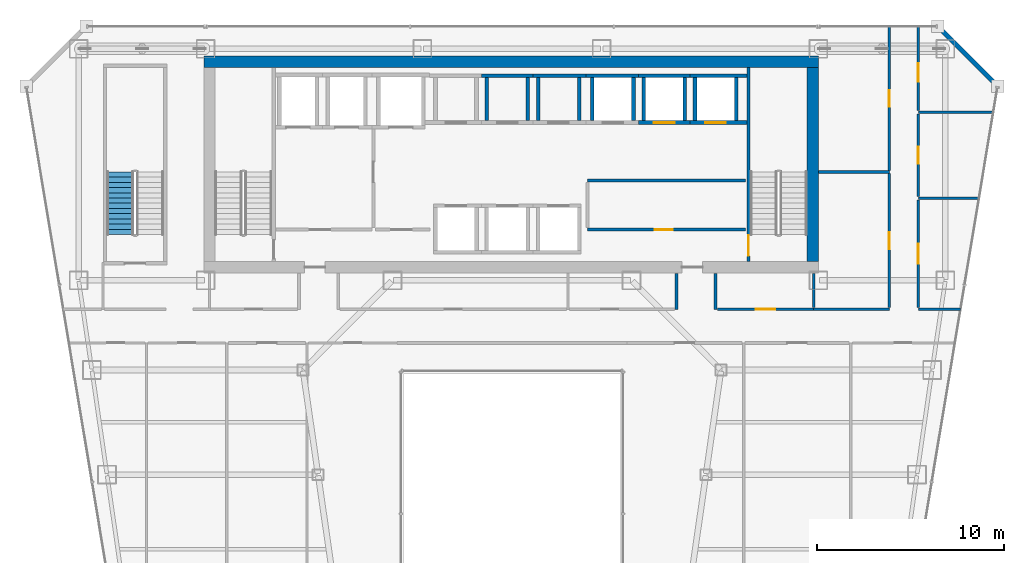
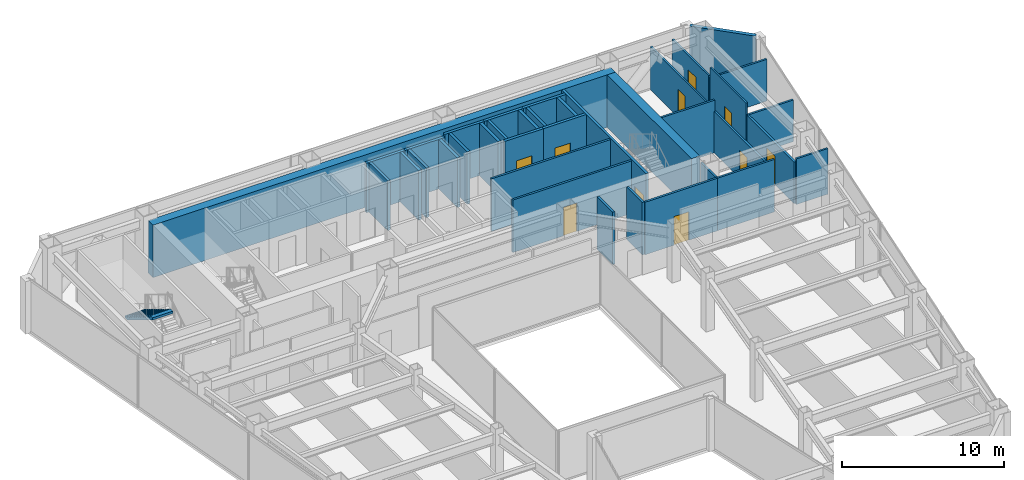
# One storey, part 32 of 36: 37 walls, 10 doors, 1 stair flight, 10 openings, 1 element without a shape of its own.
"""IFC4 building model written with IfcOpenShell, lengths in metres."""

from ifc_helpers import new_model, si_unit, direction, frame, frame_2d, origin, place, context, subcontext, project, spatial, polyline, rectangle, outline, extrude, material, layer, layer_set, type_object, element, fill, aggregate, save


model = new_model("IFC4")

# Units and contexts
model_context = context("Model", 3, precision=1e-05, world=origin(), true_north=direction((0.0, 1.0)))
body_context = subcontext(model_context, "Body", "Model", "MODEL_VIEW")
ifc_project = project(units=[si_unit("LENGTHUNIT", "METRE"), si_unit("AREAUNIT", "SQUARE_METRE"), si_unit("VOLUMEUNIT", "CUBIC_METRE"), si_unit("PLANEANGLEUNIT", "RADIAN"), si_unit("MASSUNIT", "GRAM", prefix="KILO")], contexts=[model_context])

# Site, building, storey
site_placement = place(None, origin())
site = spatial("IfcSite", under=ifc_project, at=site_placement, CompositionType="ELEMENT")
building_placement = place(site_placement, origin())
building = spatial("IfcBuilding", under=site, at=building_placement, Name="Saevonmaru Cultural Tower", CompositionType="ELEMENT")
storey_placement = place(building_placement, frame((0.0, 0.0, 119.199951171875)))
storey = spatial("IfcBuildingStorey", under=building, at=storey_placement, Name="L25", CompositionType="ELEMENT", Elevation=119.199951171875)

# Walls
ifc_material_1 = material(Name="Concrete C60/75", Category="concrete")
ifc_layer_1 = layer(ifc_material_1, 0.60009765625, Name="Concrete C60/75")
ifc_layer_set_1 = layer_set([ifc_layer_1], Name="Concrete C60/75")
wall_type_1 = type_object("IfcWallType", Name="WL-CORE-600", PredefinedType="SHEAR", material=ifc_layer_set_1)
wall_1_placement = place(storey_placement, frame((13.5, 54.10009765625, 0.0), z_axis=(0.0, 0.0, 1.0), x_axis=(1.0, 0.0, 0.0)))
element("IfcWall", 1, at=wall_1_placement, inside=storey, type_object=wall_type_1, Name="L25 Tower RC core shear wall N", PredefinedType="SHEAR", context=body_context, shape_type="SweptSolid", body=[
    extrude(rectangle(XDim=32.89990234375, YDim=0.60009765625, at=frame_2d((16.449951171875, 0.0))), origin(), (0.0, 0.0, 1.0), 3.949951171875),
])
wall_2_placement = place(storey_placement, frame((46.10009765625, 43.39990234375, 0.0), z_axis=(0.0, 0.0, 1.0), x_axis=(0.0, 1.0, 0.0)))
element("IfcWall", 2, at=wall_2_placement, inside=storey, type_object=wall_type_1, Name="L25 Tower RC core shear wall E", PredefinedType="SHEAR", context=body_context, shape_type="SweptSolid", body=[
    extrude(rectangle(XDim=10.400146484375, YDim=0.60009765625, at=frame_2d((5.2001953125, 0.0))), origin(), (0.0, 0.0, 1.0), 3.949951171875),
])

# Wall, opening, door
ifc_material_2 = material(Name="Gypsum Fireboard Partition", Category="gypsum")
ifc_layer_2 = layer(ifc_material_2, 0.14990234375, Name="Gypsum Fireboard Partition")
ifc_layer_set_2 = layer_set([ifc_layer_2], Name="Gypsum Fireboard Partition")
wall_type_2 = type_object("IfcWallType", Name="WL-CORE-PART-150", PredefinedType="PARTITIONING", material=ifc_layer_set_2)
wall_3_placement = place(storey_placement, frame((34.050048828125, 45.1201171875, 0.0), z_axis=(0.0, 0.0, 1.0), x_axis=(1.0, 0.0, 0.0)))
wall_3 = element("IfcWall", 3, at=wall_3_placement, inside=storey, type_object=wall_type_2, Name="L25 Core Service South Wall", PredefinedType="PARTITIONING", context=body_context, shape_type="SweptSolid", body=[
    extrude(rectangle(XDim=8.449951171875, YDim=0.14990234375, at=frame_2d((4.22509765625, 0.0))), origin(), (0.0, 0.0, 1.0), 3.949951171875),
])
opening_1_placement = place(wall_3_placement, frame((3.60009765625, 0.0, 0.0)))
opening_1 = element("IfcOpeningElement", 4, at=opening_1_placement, cuts=wall_3, Name="Opening FD-4", PredefinedType="OPENING", context=body_context, shape_type="SweptSolid", body=[
    extrude(rectangle(XDim=0.949951171875, YDim=2.14990234375, at=frame_2d((0.47509765625, 1.074951171875))), frame((0.0, 0.0849609375, 0.0), z_axis=(0.0, -1.0, 0.0), x_axis=(1.0, 0.0, 0.0)), (0.0, 0.0, 1.0), 0.169921875),
])
ifc_material_3 = material(Name="Satin Bronze Anodised Aluminium", Category="aluminium")
door_type_1 = type_object("IfcDoorType", Name="DR-FD60-950", OperationType="SINGLE_SWING_LEFT", PredefinedType="DOOR", material=ifc_material_3)
door_1_placement = place(opening_1_placement, origin())
door_1 = element("IfcDoor", 5, at=door_1_placement, inside=storey, type_object=door_type_1, Name="L25 Telecom Riser Plant Door", OperationType="SINGLE_SWING_LEFT", OverallHeight=2.14990234375, OverallWidth=0.949951171875, PredefinedType="DOOR", context=body_context, shape_type="SweptSolid", body=[
    extrude(rectangle(XDim=0.949951171875, YDim=2.14990234375, at=frame_2d((0.47509765625, 1.074951171875))), frame((0.0, 0.02490234375, 0.0), z_axis=(0.0, -1.0, 0.0), x_axis=(1.0, 0.0, 0.0)), (0.0, 0.0, 1.0), 0.050048828125),
])
fill(opening_1, door_1)

# Walls
wall_4_placement = place(storey_placement, frame((34.050048828125, 47.75, 0.0), z_axis=(0.0, 0.0, 1.0), x_axis=(1.0, 0.0, 0.0)))
element("IfcWall", 6, at=wall_4_placement, inside=storey, type_object=wall_type_2, Name="L25 Core Service North Wall", PredefinedType="PARTITIONING", context=body_context, shape_type="SweptSolid", body=[
    extrude(rectangle(XDim=8.449951171875, YDim=0.14990234375, at=frame_2d((4.22509765625, 0.0))), origin(), (0.0, 0.0, 1.0), 3.949951171875),
])
ifc_material_4 = material(Name="Granite-Clad Precast Concrete C40/50", Category="masonry")
ifc_layer_3 = layer(ifc_material_4, 0.260009765625, Name="Granite-Clad Precast Concrete C40/50")
ifc_layer_set_3 = layer_set([ifc_layer_3], Name="Granite-Clad Precast Concrete C40/50")
wall_type_3 = type_object("IfcWallType", Name="WL-EXT-SPANDREL-260", PredefinedType="STANDARD", material=ifc_layer_set_3)
wall_5_placement = place(storey_placement, frame((55.886962890625, 52.9130859375, 0.0), z_axis=(0.0, 0.0, 1.0), x_axis=(-0.707106781187, 0.707106781187, 0.0)))
element("IfcWall", 7, at=wall_5_placement, inside=storey, type_object=wall_type_3, Name="L25 Chamfer Corner Spandrel Wall E9", PredefinedType="STANDARD", context=body_context, shape_type="SweptSolid", body=[
    extrude(rectangle(XDim=4.205810546875, YDim=0.260009765625, at=frame_2d((2.10302734375, 0.0))), origin(), (0.0, 0.0, 1.0), 3.949951171875),
])

# Wall, opening, door
ifc_layer_4 = layer(ifc_material_2, 0.14990234375, Name="Gypsum Fireboard Partition")
ifc_layer_set_4 = layer_set([ifc_layer_4], Name="Gypsum Fireboard Partition")
wall_type_4 = type_object("IfcWallType", Name="WL-PART-FIRE-150", PredefinedType="PARTITIONING", material=ifc_layer_set_4)
wall_6_placement = place(storey_placement, frame((51.75, 40.9375, 0.0), z_axis=(0.0, 0.0, 1.0), x_axis=(0.0, 1.0, 0.0)))
wall_6 = element("IfcWall", 8, at=wall_6_placement, inside=storey, type_object=wall_type_4, Name="L25 Contemporary Photography Gallery Corridor Wall", PredefinedType="PARTITIONING", context=body_context, shape_type="SweptSolid", body=[
    extrude(rectangle(XDim=5.77490234375, YDim=0.14990234375, at=frame_2d((2.887451171875, 0.0))), origin(), (0.0, 0.0, 1.0), 3.135009765625),
])
opening_2_placement = place(wall_6_placement, frame((2.362060546875, 0.0, 0.0)))
opening_2 = element("IfcOpeningElement", 9, at=opening_2_placement, cuts=wall_6, Name="Opening ID-1", PredefinedType="OPENING", context=body_context, shape_type="SweptSolid", body=[
    extrude(rectangle(XDim=1.050048828125, YDim=2.14990234375, at=frame_2d((0.52490234375, 1.074951171875))), frame((0.0, 0.0849609375, 0.0), z_axis=(0.0, -1.0, 0.0), x_axis=(1.0, 0.0, 0.0)), (0.0, 0.0, 1.0), 0.169921875),
])
door_type_2 = type_object("IfcDoorType", Name="DR-INT-1050", OperationType="SINGLE_SWING_LEFT", PredefinedType="DOOR", material=ifc_material_3)
door_2_placement = place(opening_2_placement, origin())
door_2 = element("IfcDoor", 10, at=door_2_placement, inside=storey, type_object=door_type_2, Name="L25 Contemporary Photography Gallery Door", OperationType="SINGLE_SWING_RIGHT", OverallHeight=2.14990234375, OverallWidth=1.050048828125, PredefinedType="DOOR", context=body_context, shape_type="SweptSolid", body=[
    extrude(rectangle(XDim=1.050048828125, YDim=2.14990234375, at=frame_2d((0.52490234375, 1.074951171875))), frame((0.0, 0.02490234375, 0.0), z_axis=(0.0, -1.0, 0.0), x_axis=(1.0, 0.0, 0.0)), (0.0, 0.0, 1.0), 0.050048828125),
])
fill(opening_2, door_2)

# Walls
for number, where, z_axis, x_axis, name in (
    (11, (38.800048828125, 40.85009765625, 0.0), (0.0, 0.0, 1.0), (0.0, 1.0, 0.0), "L25 Core Portal Side Wall E1"),
    (12, (40.89990234375, 40.85009765625, 0.0), (0.0, 0.0, 1.0), (0.0, 1.0, 0.0), "L25 Core Portal Side Wall E2"),
):
    element("IfcWall", number, at=place(storey_placement, frame(where, z_axis=z_axis, x_axis=x_axis)), inside=storey, type_object=wall_type_4, Name=name, PredefinedType="PARTITIONING", context=body_context, shape_type="SweptSolid", body=[
        extrude(rectangle(XDim=1.929931640625, YDim=0.14990234375, at=frame_2d((0.96484375, 0.0))), origin(), (0.0, 0.0, 1.0), 3.949951171875),
    ])

# Wall, opening, door
wall_7_placement = place(storey_placement, frame((40.9951171875, 40.85009765625, 0.0), z_axis=(0.0, 0.0, 1.0), x_axis=(1.0, 0.0, 0.0)))
wall_7 = element("IfcWall", 13, at=wall_7_placement, inside=storey, type_object=wall_type_4, Name="L25 Sculpture Study Gallery Corridor Wall", PredefinedType="PARTITIONING", context=body_context, shape_type="SweptSolid", body=[
    extrude(rectangle(XDim=5.15478515625, YDim=0.14990234375, at=frame_2d((2.577392578125, 0.0))), origin(), (0.0, 0.0, 1.0), 3.949951171875),
])
opening_3_placement = place(wall_7_placement, frame((2.052978515625, 0.0, 0.0)))
opening_3 = element("IfcOpeningElement", 14, at=opening_3_placement, cuts=wall_7, Name="Opening ID-1", PredefinedType="OPENING", context=body_context, shape_type="SweptSolid", body=[
    extrude(rectangle(XDim=1.050048828125, YDim=2.14990234375, at=frame_2d((0.52490234375, 1.074951171875))), frame((0.0, 0.0849609375, 0.0), z_axis=(0.0, -1.0, 0.0), x_axis=(1.0, 0.0, 0.0)), (0.0, 0.0, 1.0), 0.169921875),
])
door_3_placement = place(opening_3_placement, origin())
door_3 = element("IfcDoor", 15, at=door_3_placement, inside=storey, type_object=door_type_2, Name="L25 Sculpture Study Gallery Door", OperationType="SINGLE_SWING_RIGHT", OverallHeight=2.14990234375, OverallWidth=1.050048828125, PredefinedType="DOOR", context=body_context, shape_type="SweptSolid", body=[
    extrude(rectangle(XDim=1.050048828125, YDim=2.14990234375, at=frame_2d((0.52490234375, 1.074951171875))), frame((0.0, 0.02490234375, 0.0), z_axis=(0.0, -1.0, 0.0), x_axis=(1.0, 0.0, 0.0)), (0.0, 0.0, 1.0), 0.050048828125),
])
fill(opening_3, door_3)

ifc_layer_5 = layer(ifc_material_2, 0.1201171875, Name="Gypsum Fireboard Partition")
ifc_layer_set_5 = layer_set([ifc_layer_5], Name="Gypsum Fireboard Partition")
wall_type_5 = type_object("IfcWallType", Name="WL-PART-GYP-120", PredefinedType="PARTITIONING", material=ifc_layer_set_5)
wall_8_placement = place(storey_placement, frame((50.199951171875, 48.2900390625, 0.0), z_axis=(0.0, 0.0, 1.0), x_axis=(0.0, 1.0, 0.0)))
wall_8 = element("IfcWall", 16, at=wall_8_placement, inside=storey, type_object=wall_type_5, Name="L25 Visiting Fellows Office Corridor Wall", PredefinedType="PARTITIONING", context=body_context, shape_type="SweptSolid", body=[
    extrude(rectangle(XDim=7.705078125, YDim=0.1201171875, at=frame_2d((3.8525390625, 0.0))), origin(), (0.0, 0.0, 1.0), 3.235107421875),
])
opening_4_placement = place(wall_8_placement, frame((3.402099609375, 0.0, 0.0)))
opening_4 = element("IfcOpeningElement", 17, at=opening_4_placement, cuts=wall_8, Name="Opening ID-2", PredefinedType="OPENING", context=body_context, shape_type="SweptSolid", body=[
    extrude(rectangle(XDim=0.89990234375, YDim=2.10009765625, at=frame_2d((0.449951171875, 1.050048828125))), frame((0.0, 0.070068359375, 0.0), z_axis=(0.0, -1.0, 0.0), x_axis=(1.0, 0.0, 0.0)), (0.0, 0.0, 1.0), 0.14013671875),
])
ifc_material_5 = material(Name="Acoustic Stained Oak Timber", Category="wood")
door_type_3 = type_object("IfcDoorType", Name="DR-INT-900", OperationType="SINGLE_SWING_RIGHT", PredefinedType="DOOR", material=ifc_material_5)
door_4_placement = place(opening_4_placement, origin())
door_4 = element("IfcDoor", 18, at=door_4_placement, inside=storey, type_object=door_type_3, Name="L25 Visiting Fellows Office Door", OperationType="SINGLE_SWING_LEFT", OverallHeight=2.10009765625, OverallWidth=0.89990234375, PredefinedType="DOOR", context=body_context, shape_type="SweptSolid", body=[
    extrude(rectangle(XDim=0.89990234375, YDim=2.10009765625, at=frame_2d((0.449951171875, 1.050048828125))), frame((0.0, 0.02490234375, 0.0), z_axis=(0.0, -1.0, 0.0), x_axis=(1.0, 0.0, 0.0)), (0.0, 0.0, 1.0), 0.050048828125),
])
fill(opening_4, door_4)

wall_9_placement = place(storey_placement, frame((51.75, 46.887451171875, 0.0), z_axis=(0.0, 0.0, 1.0), x_axis=(0.0, 1.0, 0.0)))
wall_9 = element("IfcWall", 19, at=wall_9_placement, inside=storey, type_object=wall_type_5, Name="L25 Digital Media Classroom Corridor Wall", PredefinedType="PARTITIONING", context=body_context, shape_type="SweptSolid", body=[
    extrude(rectangle(XDim=4.425048828125, YDim=0.1201171875, at=frame_2d((2.21240234375, 0.0))), origin(), (0.0, 0.0, 1.0), 3.949951171875),
])
opening_5_placement = place(wall_9_placement, frame((1.761962890625, 0.0, 0.0)))
opening_5 = element("IfcOpeningElement", 20, at=opening_5_placement, cuts=wall_9, Name="Opening ID-2", PredefinedType="OPENING", context=body_context, shape_type="SweptSolid", body=[
    extrude(rectangle(XDim=0.89990234375, YDim=2.10009765625, at=frame_2d((0.449951171875, 1.050048828125))), frame((0.0, 0.070068359375, 0.0), z_axis=(0.0, -1.0, 0.0), x_axis=(1.0, 0.0, 0.0)), (0.0, 0.0, 1.0), 0.14013671875),
])
door_5_placement = place(opening_5_placement, origin())
door_5 = element("IfcDoor", 21, at=door_5_placement, inside=storey, type_object=door_type_3, Name="L25 Digital Media Classroom Door", OperationType="SINGLE_SWING_LEFT", OverallHeight=2.10009765625, OverallWidth=0.89990234375, PredefinedType="DOOR", context=body_context, shape_type="SweptSolid", body=[
    extrude(rectangle(XDim=0.89990234375, YDim=2.10009765625, at=frame_2d((0.449951171875, 1.050048828125))), frame((0.0, 0.02490234375, 0.0), z_axis=(0.0, -1.0, 0.0), x_axis=(1.0, 0.0, 0.0)), (0.0, 0.0, 1.0), 0.050048828125),
])
fill(opening_5, door_5)

wall_10_placement = place(storey_placement, frame((51.75, 51.487548828125, 0.0), z_axis=(0.0, 0.0, 1.0), x_axis=(0.0, 1.0, 0.0)))
wall_10 = element("IfcWall", 22, at=wall_10_placement, inside=storey, type_object=wall_type_5, Name="L25 Horizon Espresso Cafe Corridor Wall", PredefinedType="PARTITIONING", context=body_context, shape_type="SweptSolid", body=[
    extrude(rectangle(XDim=4.507568359375, YDim=0.1201171875, at=frame_2d((2.25390625, 0.0))), origin(), (0.0, 0.0, 1.0), 3.235107421875),
])
opening_6_placement = place(wall_10_placement, frame((1.533935546875, 0.0, 0.0)))
opening_6 = element("IfcOpeningElement", 23, at=opening_6_placement, cuts=wall_10, Name="Opening ID-1B", PredefinedType="OPENING", context=body_context, shape_type="SweptSolid", body=[
    extrude(rectangle(XDim=1.0, YDim=2.14990234375, at=frame_2d((0.5, 1.074951171875))), frame((0.0, 0.070068359375, 0.0), z_axis=(0.0, -1.0, 0.0), x_axis=(1.0, 0.0, 0.0)), (0.0, 0.0, 1.0), 0.14013671875),
])
door_type_4 = type_object("IfcDoorType", Name="DR-INT-1000", OperationType="SINGLE_SWING_RIGHT", PredefinedType="DOOR", material=ifc_material_5)
door_6_placement = place(opening_6_placement, origin())
door_6 = element("IfcDoor", 24, at=door_6_placement, inside=storey, type_object=door_type_4, Name="L25 Horizon Espresso Cafe Door", OperationType="SINGLE_SWING_RIGHT", OverallHeight=2.14990234375, OverallWidth=1.0, PredefinedType="DOOR", context=body_context, shape_type="SweptSolid", body=[
    extrude(rectangle(XDim=1.0, YDim=2.14990234375, at=frame_2d((0.5, 1.074951171875))), frame((0.0, 0.02490234375, 0.0), z_axis=(0.0, -1.0, 0.0), x_axis=(1.0, 0.0, 0.0)), (0.0, 0.0, 1.0), 0.050048828125),
])
fill(opening_6, door_6)

# Walls
ifc_layer_6 = layer(ifc_material_2, 0.135009765625, Name="Gypsum Fireboard Partition")
ifc_layer_set_6 = layer_set([ifc_layer_6], Name="Gypsum Fireboard Partition")
wall_type_6 = type_object("IfcWallType", Name="WL-PART-GYP-135", PredefinedType="PARTITIONING", material=ifc_layer_set_6)
wall_11_placement = place(storey_placement, frame((51.75, 40.85009765625, 0.0), z_axis=(0.0, 0.0, 1.0), x_axis=(1.0, 0.0, 0.0)))
element("IfcWall", 25, at=wall_11_placement, inside=storey, type_object=wall_type_6, Name="L25 NE Wing South Wall", PredefinedType="PARTITIONING", context=body_context, shape_type="SweptSolid", body=[
    extrude(rectangle(XDim=2.25830078125, YDim=0.135009765625, at=frame_2d((1.129150390625, 0.0))), origin(), (0.0, 0.0, 1.0), 3.43505859375),
])
wall_12_placement = place(storey_placement, frame((51.75, 46.800048828125, 0.0), z_axis=(0.0, 0.0, 1.0), x_axis=(1.0, 0.0, 0.0)))
element("IfcWall", 26, at=wall_12_placement, inside=storey, type_object=wall_type_6, Name="L25 NE Studio Divider 1", PredefinedType="PARTITIONING", context=body_context, shape_type="SweptSolid", body=[
    extrude(rectangle(XDim=3.247314453125, YDim=0.135009765625, at=frame_2d((1.62353515625, 0.0))), origin(), (0.0, 0.0, 1.0), 3.135009765625),
])
wall_13_placement = place(storey_placement, frame((51.75, 51.39990234375, 0.0), z_axis=(0.0, 0.0, 1.0), x_axis=(1.0, 0.0, 0.0)))
element("IfcWall", 27, at=wall_13_placement, inside=storey, type_object=wall_type_6, Name="L25 NE Studio Divider 2", PredefinedType="PARTITIONING", context=body_context, shape_type="SweptSolid", body=[
    extrude(rectangle(XDim=4.01220703125, YDim=0.135009765625, at=frame_2d((2.006103515625, 0.0))), origin(), (0.0, 0.0, 1.0), 3.135009765625),
])
ifc_layer_7 = layer(ifc_material_2, 0.139892578125, Name="Gypsum Fireboard Partition")
ifc_layer_set_7 = layer_set([ifc_layer_7], Name="Gypsum Fireboard Partition")
wall_type_7 = type_object("IfcWallType", Name="WL-PART-WET-140", PredefinedType="PARTITIONING", material=ifc_layer_set_7)
wall_14_placement = place(storey_placement, frame((46.14990234375, 40.85009765625, 0.0), z_axis=(0.0, 0.0, 1.0), x_axis=(1.0, 0.0, 0.0)))
element("IfcWall", 28, at=wall_14_placement, inside=storey, type_object=wall_type_7, Name="L25 Washroom South Wall", PredefinedType="PARTITIONING", context=body_context, shape_type="SweptSolid", body=[
    extrude(rectangle(XDim=4.050048828125, YDim=0.139892578125, at=frame_2d((2.02490234375, 0.0))), origin(), (0.0, 0.0, 1.0), 3.949951171875),
])
wall_15_placement = place(storey_placement, frame((46.14990234375, 40.93994140625, 0.0), z_axis=(0.0, 0.0, 1.0), x_axis=(0.0, 1.0, 0.0)))
element("IfcWall", 29, at=wall_15_placement, inside=storey, type_object=wall_type_7, Name="L25 Washroom South-West Return", PredefinedType="PARTITIONING", context=body_context, shape_type="SweptSolid", body=[
    extrude(rectangle(XDim=1.840087890625, YDim=0.139892578125, at=frame_2d((0.919921875, 0.0))), origin(), (0.0, 0.0, 1.0), 3.949951171875),
])
wall_16_placement = place(storey_placement, frame((46.419921875, 48.199951171875, 0.0), z_axis=(0.0, 0.0, 1.0), x_axis=(1.0, 0.0, 0.0)))
element("IfcWall", 30, at=wall_16_placement, inside=storey, type_object=wall_type_7, Name="L25 Washroom North Wall", PredefinedType="PARTITIONING", context=body_context, shape_type="SweptSolid", body=[
    extrude(rectangle(XDim=3.780029296875, YDim=0.139892578125, at=frame_2d((1.89013671875, 0.0))), origin(), (0.0, 0.0, 1.0), 3.949951171875),
])

# Wall, opening, door
wall_17_placement = place(storey_placement, frame((50.199951171875, 40.93994140625, 0.0), z_axis=(0.0, 0.0, 1.0), x_axis=(0.0, 1.0, 0.0)))
wall_17 = element("IfcWall", 31, at=wall_17_placement, inside=storey, type_object=wall_type_7, Name="L25 Washroom Corridor Wall", PredefinedType="PARTITIONING", context=body_context, shape_type="SweptSolid", body=[
    extrude(rectangle(XDim=7.170166015625, YDim=0.139892578125, at=frame_2d((3.5849609375, 0.0))), origin(), (0.0, 0.0, 1.0), 3.135009765625),
])
opening_7_placement = place(wall_17_placement, frame((3.135009765625, 0.0, 0.0)))
opening_7 = element("IfcOpeningElement", 32, at=opening_7_placement, cuts=wall_17, Name="Opening ID-2", PredefinedType="OPENING", context=body_context, shape_type="SweptSolid", body=[
    extrude(rectangle(XDim=0.89990234375, YDim=2.10009765625, at=frame_2d((0.449951171875, 1.050048828125))), frame((0.0, 0.080078125, 0.0), z_axis=(0.0, -1.0, 0.0), x_axis=(1.0, 0.0, 0.0)), (0.0, 0.0, 1.0), 0.159912109375),
])
door_7_placement = place(opening_7_placement, origin())
door_7 = element("IfcDoor", 33, at=door_7_placement, inside=storey, type_object=door_type_3, Name="L25 Public Accessible Washrooms Door", OperationType="SINGLE_SWING_RIGHT", OverallHeight=2.10009765625, OverallWidth=0.89990234375, PredefinedType="DOOR", context=body_context, shape_type="SweptSolid", body=[
    extrude(rectangle(XDim=0.89990234375, YDim=2.10009765625, at=frame_2d((0.449951171875, 1.050048828125))), frame((0.0, 0.02490234375, 0.0), z_axis=(0.0, -1.0, 0.0), x_axis=(1.0, 0.0, 0.0)), (0.0, 0.0, 1.0), 0.050048828125),
])
fill(opening_7, door_7)

# Walls
ifc_material_6 = material(Name="Concrete C40/50", Category="concrete")
ifc_layer_8 = layer(ifc_material_6, 0.199951171875, Name="Concrete C40/50")
ifc_layer_set_8 = layer_set([ifc_layer_8], Name="Concrete C40/50")
wall_type_8 = type_object("IfcWallType", Name="WL-SHAFT-200", PredefinedType="SHEAR", material=ifc_layer_set_8)
wall_18_placement = place(storey_placement, frame((28.375, 53.35009765625, 0.0), z_axis=(0.0, 0.0, 1.0), x_axis=(1.0, 0.0, 0.0)))
element("IfcWall", 34, at=wall_18_placement, inside=storey, type_object=wall_type_8, Name="L25 Lift PL-L2 Hoistway Wall N", PredefinedType="SHEAR", context=body_context, shape_type="SweptSolid", body=[
    extrude(rectangle(XDim=2.75, YDim=0.199951171875, at=frame_2d((1.375, 0.0))), origin(), (0.0, 0.0, 1.0), 3.72998046875),
])
for number, where, z_axis, x_axis, name in (
    (35, (28.64990234375, 50.949951171875, 0.0), (0.0, 0.0, 1.0), (0.0, 1.0, 0.0), "L25 Lift PL-L2 Hoistway Wall W"),
    (36, (30.85009765625, 50.949951171875, 0.0), (0.0, 0.0, 1.0), (0.0, 1.0, 0.0), "L25 Lift PL-L2 Hoistway Wall E"),
):
    element("IfcWall", number, at=place(storey_placement, frame(where, z_axis=z_axis, x_axis=x_axis)), inside=storey, type_object=wall_type_8, Name=name, PredefinedType="SHEAR", context=body_context, shape_type="SweptSolid", body=[
        extrude(rectangle(XDim=2.300048828125, YDim=0.199951171875, at=frame_2d((1.14990234375, 0.0))), origin(), (0.0, 0.0, 1.0), 3.72998046875),
    ])
wall_19_placement = place(storey_placement, frame((31.125, 53.35009765625, 0.0), z_axis=(0.0, 0.0, 1.0), x_axis=(1.0, 0.0, 0.0)))
element("IfcWall", 37, at=wall_19_placement, inside=storey, type_object=wall_type_8, Name="L25 Lift PL-L3 Hoistway Wall N", PredefinedType="SHEAR", context=body_context, shape_type="SweptSolid", body=[
    extrude(rectangle(XDim=2.824951171875, YDim=0.199951171875, at=frame_2d((1.41259765625, 0.0))), origin(), (0.0, 0.0, 1.0), 3.72998046875),
])
for number, where, z_axis, x_axis, name in (
    (38, (31.39990234375, 50.949951171875, 0.0), (0.0, 0.0, 1.0), (0.0, 1.0, 0.0), "L25 Lift PL-L3 Hoistway Wall W"),
    (39, (33.60009765625, 50.949951171875, 0.0), (0.0, 0.0, 1.0), (0.0, 1.0, 0.0), "L25 Lift PL-L3 Hoistway Wall E"),
):
    element("IfcWall", number, at=place(storey_placement, frame(where, z_axis=z_axis, x_axis=x_axis)), inside=storey, type_object=wall_type_8, Name=name, PredefinedType="SHEAR", context=body_context, shape_type="SweptSolid", body=[
        extrude(rectangle(XDim=2.300048828125, YDim=0.199951171875, at=frame_2d((1.14990234375, 0.0))), origin(), (0.0, 0.0, 1.0), 3.72998046875),
    ])
wall_20_placement = place(storey_placement, frame((33.949951171875, 53.35009765625, 0.0), z_axis=(0.0, 0.0, 1.0), x_axis=(1.0, 0.0, 0.0)))
element("IfcWall", 40, at=wall_20_placement, inside=storey, type_object=wall_type_8, Name="L25 Lift PL-H1 Hoistway Wall N", PredefinedType="SHEAR", context=body_context, shape_type="SweptSolid", body=[
    extrude(rectangle(XDim=2.824951171875, YDim=0.199951171875, at=frame_2d((1.41259765625, 0.0))), origin(), (0.0, 0.0, 1.0), 3.949951171875),
])
for number, where, z_axis, x_axis, name in (
    (41, (34.300048828125, 50.949951171875, 0.0), (0.0, 0.0, 1.0), (0.0, 1.0, 0.0), "L25 Lift PL-H1 Hoistway Wall W"),
    (42, (36.5, 50.949951171875, 0.0), (0.0, 0.0, 1.0), (0.0, 1.0, 0.0), "L25 Lift PL-H1 Hoistway Wall E"),
):
    element("IfcWall", number, at=place(storey_placement, frame(where, z_axis=z_axis, x_axis=x_axis)), inside=storey, type_object=wall_type_8, Name=name, PredefinedType="SHEAR", context=body_context, shape_type="SweptSolid", body=[
        extrude(rectangle(XDim=2.300048828125, YDim=0.199951171875, at=frame_2d((1.14990234375, 0.0))), origin(), (0.0, 0.0, 1.0), 3.949951171875),
    ])

# Wall, opening, door
wall_21_placement = place(storey_placement, frame((36.77490234375, 50.85009765625, 0.0), z_axis=(0.0, 0.0, 1.0), x_axis=(1.0, 0.0, 0.0)))
wall_21 = element("IfcWall", 43, at=wall_21_placement, inside=storey, type_object=wall_type_8, Name="L25 Lift PL-H2 Hoistway Wall S", PredefinedType="SHEAR", context=body_context, shape_type="SweptSolid", body=[
    extrude(rectangle(XDim=2.75, YDim=0.199951171875, at=frame_2d((1.375, 0.0))), origin(), (0.0, 0.0, 1.0), 3.949951171875),
])
opening_8_placement = place(wall_21_placement, frame((0.824951171875, 0.0, 0.0)))
opening_8 = element("IfcOpeningElement", 44, at=opening_8_placement, cuts=wall_21, Name="Opening LD-1", PredefinedType="OPENING", context=body_context, shape_type="SweptSolid", body=[
    extrude(rectangle(XDim=1.10009765625, YDim=2.199951171875, at=frame_2d((0.550048828125, 1.10009765625))), frame((0.0, 0.10986328125, 0.0), z_axis=(0.0, -1.0, 0.0), x_axis=(1.0, 0.0, 0.0)), (0.0, 0.0, 1.0), 0.219970703125),
])
ifc_material_7 = material(Name="Satin Bronze Stainless Steel", Category="steel")
door_type_5 = type_object("IfcDoorType", Name="DR-LIFT-1100", OperationType="SLIDING_TO_LEFT", PredefinedType="DOOR", material=ifc_material_7)
door_8_placement = place(opening_8_placement, origin())
door_8 = element("IfcDoor", 45, at=door_8_placement, inside=storey, type_object=door_type_5, Name="L25 Lift PL-H2 Sliding Landing Door", OperationType="SLIDING_TO_LEFT", OverallHeight=2.199951171875, OverallWidth=1.10009765625, PredefinedType="DOOR", context=body_context, shape_type="SweptSolid", body=[
    extrude(rectangle(XDim=1.10009765625, YDim=2.199951171875, at=frame_2d((0.550048828125, 1.10009765625))), frame((0.0, 0.02490234375, 0.0), z_axis=(0.0, -1.0, 0.0), x_axis=(1.0, 0.0, 0.0)), (0.0, 0.0, 1.0), 0.050048828125),
])
fill(opening_8, door_8)

# Walls
wall_22_placement = place(storey_placement, frame((36.77490234375, 53.35009765625, 0.0), z_axis=(0.0, 0.0, 1.0), x_axis=(1.0, 0.0, 0.0)))
element("IfcWall", 46, at=wall_22_placement, inside=storey, type_object=wall_type_8, Name="L25 Lift PL-H2 Hoistway Wall N", PredefinedType="SHEAR", context=body_context, shape_type="SweptSolid", body=[
    extrude(rectangle(XDim=2.75, YDim=0.199951171875, at=frame_2d((1.375, 0.0))), origin(), (0.0, 0.0, 1.0), 3.949951171875),
])
for number, where, z_axis, x_axis, name in (
    (47, (37.050048828125, 50.949951171875, 0.0), (0.0, 0.0, 1.0), (0.0, 1.0, 0.0), "L25 Lift PL-H2 Hoistway Wall W"),
    (48, (39.25, 50.949951171875, 0.0), (0.0, 0.0, 1.0), (0.0, 1.0, 0.0), "L25 Lift PL-H2 Hoistway Wall E"),
):
    element("IfcWall", number, at=place(storey_placement, frame(where, z_axis=z_axis, x_axis=x_axis)), inside=storey, type_object=wall_type_8, Name=name, PredefinedType="SHEAR", context=body_context, shape_type="SweptSolid", body=[
        extrude(rectangle(XDim=2.300048828125, YDim=0.199951171875, at=frame_2d((1.14990234375, 0.0))), origin(), (0.0, 0.0, 1.0), 3.949951171875),
    ])

# Wall, opening, door
wall_23_placement = place(storey_placement, frame((39.52490234375, 50.85009765625, 0.0), z_axis=(0.0, 0.0, 1.0), x_axis=(1.0, 0.0, 0.0)))
wall_23 = element("IfcWall", 49, at=wall_23_placement, inside=storey, type_object=wall_type_8, Name="L25 Lift PL-H3 Hoistway Wall S", PredefinedType="SHEAR", context=body_context, shape_type="SweptSolid", body=[
    extrude(rectangle(XDim=3.045166015625, YDim=0.199951171875, at=frame_2d((1.5224609375, 0.0))), origin(), (0.0, 0.0, 1.0), 3.949951171875),
])
opening_9_placement = place(wall_23_placement, frame((0.824951171875, 0.0, 0.0)))
opening_9 = element("IfcOpeningElement", 50, at=opening_9_placement, cuts=wall_23, Name="Opening LD-1", PredefinedType="OPENING", context=body_context, shape_type="SweptSolid", body=[
    extrude(rectangle(XDim=1.10009765625, YDim=2.199951171875, at=frame_2d((0.550048828125, 1.10009765625))), frame((0.0, 0.10986328125, 0.0), z_axis=(0.0, -1.0, 0.0), x_axis=(1.0, 0.0, 0.0)), (0.0, 0.0, 1.0), 0.219970703125),
])
door_9_placement = place(opening_9_placement, origin())
door_9 = element("IfcDoor", 51, at=door_9_placement, inside=storey, type_object=door_type_5, Name="L25 Lift PL-H3 Sliding Landing Door", OperationType="SLIDING_TO_LEFT", OverallHeight=2.199951171875, OverallWidth=1.10009765625, PredefinedType="DOOR", context=body_context, shape_type="SweptSolid", body=[
    extrude(rectangle(XDim=1.10009765625, YDim=2.199951171875, at=frame_2d((0.550048828125, 1.10009765625))), frame((0.0, 0.02490234375, 0.0), z_axis=(0.0, -1.0, 0.0), x_axis=(1.0, 0.0, 0.0)), (0.0, 0.0, 1.0), 0.050048828125),
])
fill(opening_9, door_9)

# Walls
wall_24_placement = place(storey_placement, frame((39.52490234375, 53.35009765625, 0.0), z_axis=(0.0, 0.0, 1.0), x_axis=(1.0, 0.0, 0.0)))
element("IfcWall", 52, at=wall_24_placement, inside=storey, type_object=wall_type_8, Name="L25 Lift PL-H3 Hoistway Wall N", PredefinedType="SHEAR", context=body_context, shape_type="SweptSolid", body=[
    extrude(rectangle(XDim=3.045166015625, YDim=0.199951171875, at=frame_2d((1.5224609375, 0.0))), origin(), (0.0, 0.0, 1.0), 3.949951171875),
])
for number, where, z_axis, x_axis, name in (
    (53, (39.800048828125, 50.949951171875, 0.0), (0.0, 0.0, 1.0), (0.0, 1.0, 0.0), "L25 Lift PL-H3 Hoistway Wall W"),
    (54, (42.0, 50.949951171875, 0.0), (0.0, 0.0, 1.0), (0.0, 1.0, 0.0), "L25 Lift PL-H3 Hoistway Wall E"),
):
    element("IfcWall", number, at=place(storey_placement, frame(where, z_axis=z_axis, x_axis=x_axis)), inside=storey, type_object=wall_type_8, Name=name, PredefinedType="SHEAR", context=body_context, shape_type="SweptSolid", body=[
        extrude(rectangle(XDim=2.300048828125, YDim=0.199951171875, at=frame_2d((1.14990234375, 0.0))), origin(), (0.0, 0.0, 1.0), 3.949951171875),
    ])

# Wall, opening, door
ifc_layer_9 = layer(ifc_material_6, 0.179931640625, Name="Concrete C40/50")
ifc_layer_set_9 = layer_set([ifc_layer_9], Name="Concrete C40/50")
wall_type_9 = type_object("IfcWallType", Name="WL-STSHAFT-180", PredefinedType="SHEAR", material=ifc_layer_set_9)
wall_25_placement = place(storey_placement, frame((42.659912109375, 53.800048828125, 0.0), z_axis=(0.0, 0.0, 1.0), x_axis=(0.0, -1.0, 0.0)))
wall_25 = element("IfcWall", 55, at=wall_25_placement, inside=storey, type_object=wall_type_9, Name="L25 Stair ST-2 Structural Shaft Wall 1", PredefinedType="SHEAR", context=body_context, shape_type="SweptSolid", body=[
    extrude(rectangle(XDim=10.400146484375, YDim=0.179931640625, at=frame_2d((5.2001953125, 0.0))), origin(), (0.0, 0.0, 1.0), 3.949951171875),
])
opening_10_placement = place(wall_25_placement, frame((8.989990234375, 0.0, 0.0)))
opening_10 = element("IfcOpeningElement", 56, at=opening_10_placement, cuts=wall_25, Name="Opening FD-2", PredefinedType="OPENING", context=body_context, shape_type="SweptSolid", body=[
    extrude(rectangle(XDim=1.10009765625, YDim=2.14990234375, at=frame_2d((0.550048828125, 1.074951171875))), frame((0.0, 0.10009765625, 0.0), z_axis=(0.0, -1.0, 0.0), x_axis=(1.0, 0.0, 0.0)), (0.0, 0.0, 1.0), 0.199951171875),
])
door_type_6 = type_object("IfcDoorType", Name="DR-FD60-1100", OperationType="SINGLE_SWING_LEFT", PredefinedType="DOOR", material=ifc_material_3)
door_10_placement = place(opening_10_placement, origin())
door_10 = element("IfcDoor", 57, at=door_10_placement, inside=storey, type_object=door_type_6, Name="L25 Protected Stair ST-2 Fire Door", OperationType="SINGLE_SWING_LEFT", OverallHeight=2.14990234375, OverallWidth=1.10009765625, PredefinedType="DOOR", context=body_context, shape_type="SweptSolid", body=[
    extrude(rectangle(XDim=1.10009765625, YDim=2.14990234375, at=frame_2d((0.550048828125, 1.074951171875))), frame((0.0, 0.02490234375, 0.0), z_axis=(0.0, -1.0, 0.0), x_axis=(1.0, 0.0, 0.0)), (0.0, 0.0, 1.0), 0.050048828125),
])
fill(opening_10, door_10)

# Stair, stair flight
stair_type = type_object("IfcStairType", Name="STR-DOGLEG-RC", PredefinedType="HALF_TURN_STAIR", material=ifc_material_6)
stair_placement = place(storey_placement, origin())
stair = element("IfcStair", 58, at=stair_placement, inside=storey, type_object=stair_type, Name="L25 Protected exit stair ST-3", PredefinedType="HALF_TURN_STAIR")
ifc_material_8 = material(Name="Precast concrete C40/50", Category="concrete")
stair_flight_type = type_object("IfcStairFlightType", Name="STF-PRECAST-180", PredefinedType="STRAIGHT", material=ifc_material_8)
stair_flight_placement = place(storey_placement, frame((9.02490234375, 48.2099609375, 2.199951171875), z_axis=(0.0, 0.0, 1.0), x_axis=(0.0, -1.0, 0.0)))
stair_flight = element("IfcStairFlight", 59, at=stair_flight_placement, type_object=stair_flight_type, Name="ST-3-L25 flight 2", NumberOfRisers=13, NumberOfTreads=12, PredefinedType="STRAIGHT", RiserHeight=0.169230769, TreadLength=0.28, context=body_context, shape_type="SweptSolid", body=[
    extrude(outline(polyline([(0.0, 0.0), (0.0, 0.169189453125), (0.280029296875, 0.169189453125), (0.280029296875, 0.33837890625), (0.56005859375, 0.33837890625), (0.56005859375, 0.5078125), (0.840087890625, 0.5078125), (0.840087890625, 0.677001953125), (1.1201171875, 0.677001953125), (1.1201171875, 0.84619140625), (1.39990234375, 0.84619140625), (1.39990234375, 1.015380859375), (1.679931640625, 1.015380859375), (1.679931640625, 1.1845703125), (1.9599609375, 1.1845703125), (1.9599609375, 1.353759765625), (2.239990234375, 1.353759765625), (2.239990234375, 1.523193359375), (2.52001953125, 1.523193359375), (2.52001953125, 1.6923828125), (2.800048828125, 1.6923828125), (2.800048828125, 1.861572265625), (3.080078125, 1.861572265625), (3.080078125, 2.03076171875), (3.360107421875, 2.03076171875), (3.360107421875, 2.199951171875), (3.360107421875, 1.855712890625), (0.289794921875, 0.0), (0.0, 0.0)])), frame((0.0, 0.72509765625, 0.0), z_axis=(0.0, -1.0, 0.0), x_axis=(1.0, 0.0, 0.0)), (0.0, 0.0, 1.0), 1.449951171875),
])
aggregate(stair, [stair_flight])

save(model, "model.ifc")
